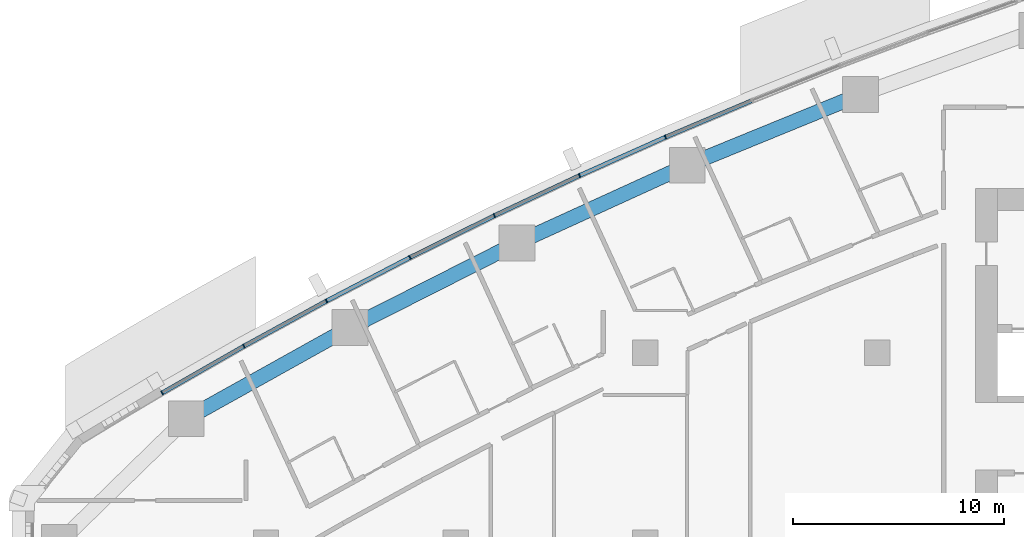
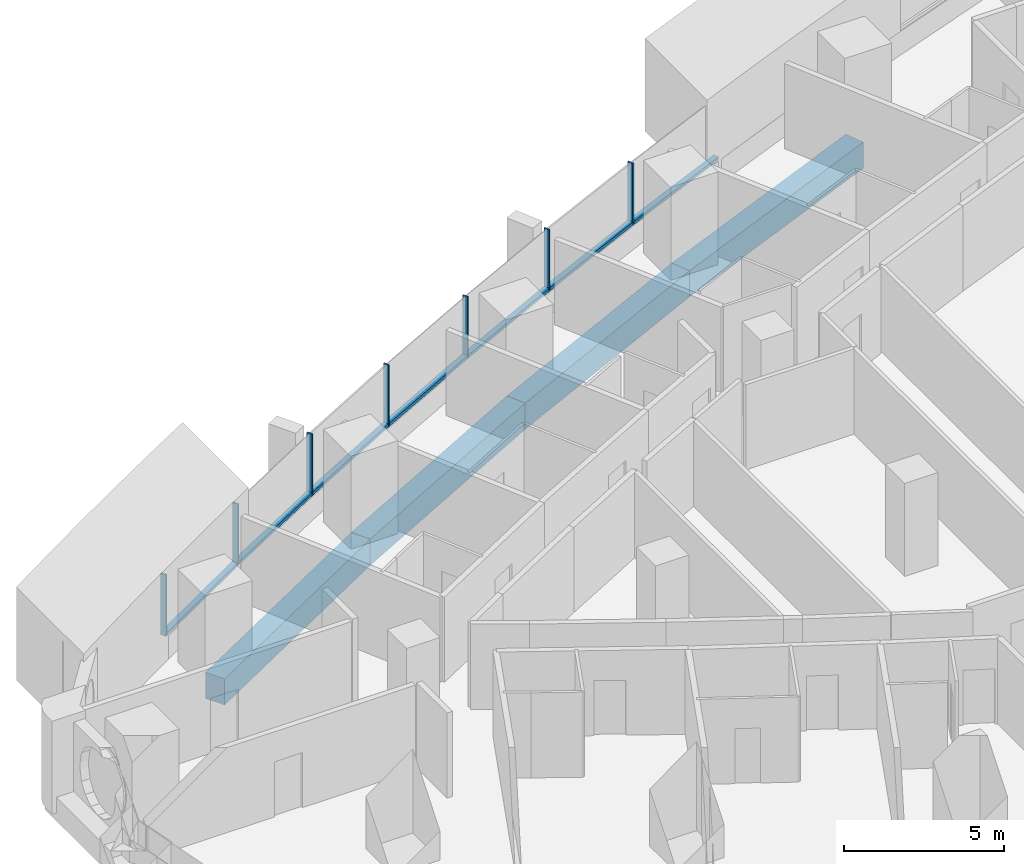
# One storey, part 5 of 17: 14 members, 4 beams, 4 elements without a shape of their own.
"""IFC4 building model written with IfcOpenShell, lengths in metres."""

import ifcopenshell
import ifcopenshell.guid

model = None  # the IFC model being written
_history = None  # IfcOwnerHistory: only IFC2X3 demands one
_inside = {}  # id of a spatial element -> (the spatial element, [elements in it])
_under = {}  # id of a project, library or spatial element -> (it, [spatial elements below it])
_declared = {}  # id of a project -> (the project, [libraries it declares])
_typed = {}  # id of a type object -> (the type object, [elements of that type])
_made_of = {}  # id of a material, layer set ... -> (it, [elements and type objects made of it])


def new_model(schema):
    """Start an empty IFC model of exactly this schema.

    Asked for "IFC4X3", IfcOpenShell would pick the latest addendum, in which some entities
    have other attributes; the version numbers below select the first issue.
    IFC2X3 requires an IfcOwnerHistory on every rooted entity: one is made here for all.
    """
    global model, _history
    if schema == "IFC4X3":
        model = ifcopenshell.file(schema_version=(4, 3, 0, 0))
    else:
        model = ifcopenshell.file(schema=schema)
    _inside.clear()
    _under.clear()
    _declared.clear()
    _typed.clear()
    _made_of.clear()
    _history = None
    if model.schema == "IFC2X3":
        org = make("IfcOrganization", Name="unknown")
        user = make(
            "IfcPersonAndOrganization",
            ThePerson=make("IfcPerson", FamilyName="unknown"),
            TheOrganization=org,
        )
        app = make(
            "IfcApplication",
            ApplicationDeveloper=org,
            Version="unknown",
            ApplicationFullName="unknown",
            ApplicationIdentifier="unknown",
        )
        _history = make(
            "IfcOwnerHistory",
            OwningUser=user,
            OwningApplication=app,
            ChangeAction="ADDED",
            CreationDate=0,
        )
    return model


def make(cls, **values):
    """One entity of the class cls with the attributes given. An attribute that is None is left unset."""
    return model.create_entity(
        cls, **{name: value for name, value in values.items() if value is not None}
    )


def rooted(cls, **values):
    """An entity with a GlobalId (a new one), such as an element, a storey or a relation."""
    return make(cls, GlobalId=ifcopenshell.guid.new(), OwnerHistory=_history, **values)


def si_unit(unit_type, name, prefix=None):
    """IfcSIUnit, for example si_unit("LENGTHUNIT", "METRE", prefix="MILLI")."""
    return make("IfcSIUnit", UnitType=unit_type, Prefix=prefix, Name=name)


def assignment(units):
    """IfcUnitAssignment: the units of a project."""
    return None if units is None else make("IfcUnitAssignment", Units=units)


def point(xyz):
    """IfcCartesianPoint."""
    return None if xyz is None else make("IfcCartesianPoint", Coordinates=xyz)


def direction(xyz):
    """IfcDirection."""
    return None if xyz is None else make("IfcDirection", DirectionRatios=xyz)


def frame(location, z_axis=None, x_axis=None):
    """IfcAxis2Placement3D, a coordinate frame: its origin and axes. An axis left out is left unset."""
    return make(
        "IfcAxis2Placement3D",
        Location=point(location),
        Axis=direction(z_axis),
        RefDirection=direction(x_axis),
    )


def frame_2d(location, x_axis=None):
    """IfcAxis2Placement2D, a coordinate frame in the plane: its origin and x axis."""
    return make(
        "IfcAxis2Placement2D", Location=point(location), RefDirection=direction(x_axis)
    )


def origin():
    """The frame at (0, 0, 0) with its axes left unset."""
    return frame((0.0, 0.0, 0.0))


def origin_2d():
    """The frame at (0, 0) in the plane with its x axis left unset."""
    return frame_2d((0.0, 0.0))


def place(relative_to, where):
    """IfcLocalPlacement: puts the frame where relative to a parent placement (None: the world)."""
    return make(
        "IfcLocalPlacement", PlacementRelTo=relative_to, RelativePlacement=where
    )


def context(
    kind, dimensions, precision=None, world=None, true_north=None, identifier=None
):
    """IfcGeometricRepresentationContext, for example the 3D "Model" context."""
    return make(
        "IfcGeometricRepresentationContext",
        ContextIdentifier=identifier,
        ContextType=kind,
        CoordinateSpaceDimension=dimensions,
        Precision=precision,
        WorldCoordinateSystem=world,
        TrueNorth=true_north,
    )


def subcontext(parent, identifier, kind, view, scale=None):
    """IfcGeometricRepresentationSubContext, for example "Body" below "Model"."""
    return make(
        "IfcGeometricRepresentationSubContext",
        ContextIdentifier=identifier,
        ContextType=kind,
        ParentContext=parent,
        TargetScale=scale,
        TargetView=view,
    )


def project(units=None, contexts=None):
    """IfcProject with its units and contexts."""
    return rooted(
        "IfcProject",
        Name="project",
        RepresentationContexts=contexts,
        UnitsInContext=assignment(units),
    )


def spatial(cls, under=None, at=None, **own):
    """A site, building, storey or space (cls), placed at a placement, below another one or the project."""
    s = rooted(cls, ObjectPlacement=at, **own)
    if under is not None:
        _under.setdefault(under.id(), (under, []))[1].append(s)
    return s


def profile(cls, at=None, kind="AREA", **sizes):
    """A parametric profile (cls). Its sizes go by their IFC names, for example OverallWidth=200.0."""
    return make(cls, ProfileType=kind, Position=at, **sizes)


def rectangle(**sizes):
    """IfcRectangleProfileDef."""
    return profile("IfcRectangleProfileDef", **sizes)


def extrude(swept, where, along, depth):
    """IfcExtrudedAreaSolid: the profile swept, set in the frame where, extruded along a direction by depth."""
    return make(
        "IfcExtrudedAreaSolid",
        SweptArea=swept,
        Position=where,
        ExtrudedDirection=direction(along),
        Depth=depth,
    )


def shape(context_of_items, identifier, shape_type, items):
    """IfcShapeRepresentation: the items that make up one representation, for example the "Body"."""
    return make(
        "IfcShapeRepresentation",
        ContextOfItems=context_of_items,
        RepresentationIdentifier=identifier,
        RepresentationType=shape_type,
        Items=items,
    )


def material(Name=None, Category=None):
    """IfcMaterial."""
    return make("IfcMaterial", Name=Name, Category=Category)


def layer(
    of_material, thickness, ventilated=None, Name=None, Category=None, Priority=None
):
    """IfcMaterialLayer: one layer of a wall or slab, of a material (None: an air gap)."""
    return make(
        "IfcMaterialLayer",
        Material=of_material,
        LayerThickness=thickness,
        IsVentilated=ventilated,
        Name=Name,
        Category=Category,
        Priority=Priority,
    )


def layer_set(layers, Name=None):
    """IfcMaterialLayerSet."""
    return make("IfcMaterialLayerSet", MaterialLayers=layers, LayerSetName=Name)


def material_profile(
    of_material, cross_section, Name=None, Category=None, Priority=None
):
    """IfcMaterialProfile: a cross section and its material."""
    return make(
        "IfcMaterialProfile",
        Name=Name,
        Material=of_material,
        Profile=cross_section,
        Priority=Priority,
        Category=Category,
    )


def profile_set(profiles, Name=None, composite=None):
    """IfcMaterialProfileSet."""
    return make(
        "IfcMaterialProfileSet",
        Name=Name,
        MaterialProfiles=profiles,
        CompositeProfile=composite,
    )


def made_of(thing, what):
    """Note that an element or type object is made of a material, layer set ...; save() writes the relation."""
    if what is not None:
        _made_of.setdefault(what.id(), (what, []))[1].append(thing)
    return thing


def type_object(cls, material=None, **own):
    """A type object (cls), such as IfcWallType, which elements share."""
    return made_of(rooted(cls, **own), material)


def element(
    cls,
    number,
    at=None,
    inside=None,
    cuts=None,
    type_object=None,
    material=None,
    context=None,
    identifier="Body",
    shape_type=None,
    held_by="IfcProductDefinitionShape",
    body=None,
    shapes=None,
    **own,
):
    """One element of the class cls, such as IfcWall. Its Tag is "e" and its number.

    at: its placement. inside: the storey or other place that contains it. cuts: it is an
    opening in that element (IfcRelVoidsElement). A single representation is given by context,
    identifier, shape_type and body (its items); several are given by shapes. held_by: the class
    of the entity that holds the representations. save() writes the other relations.
    """
    e = rooted(cls, Tag="e%d" % number, ObjectPlacement=at, **own)
    if body is not None:
        shapes = [shape(context, identifier, shape_type, body)]
    if shapes is not None:
        e.Representation = make(held_by, Representations=shapes)
    if inside is not None:
        _inside.setdefault(inside.id(), (inside, []))[1].append(e)
    if cuts is not None:
        rooted(
            "IfcRelVoidsElement", RelatingBuildingElement=cuts, RelatedOpeningElement=e
        )
    if type_object is not None:
        _typed.setdefault(type_object.id(), (type_object, []))[1].append(e)
    return made_of(e, material)


def aggregate(whole, parts):
    """IfcRelAggregates: a whole, such as a stair, and the parts it consists of."""
    return rooted("IfcRelAggregates", RelatingObject=whole, RelatedObjects=parts)


def save(model, path):
    """Write the relations noted so far, then the file.

    IfcRelAggregates (storeys below a building ...), IfcRelContainedInSpatialStructure (elements
    in a storey), IfcRelDefinesByType, IfcRelAssociatesMaterial and IfcRelDeclares: one each for
    every whole, place, type object, material and project.
    """
    for whole, parts in _under.values():
        aggregate(whole, parts)
    for where, things in _inside.values():
        rooted(
            "IfcRelContainedInSpatialStructure",
            RelatedElements=things,
            RelatingStructure=where,
        )
    for kind, things in _typed.values():
        rooted("IfcRelDefinesByType", RelatedObjects=things, RelatingType=kind)
    for what, things in _made_of.values():
        rooted("IfcRelAssociatesMaterial", RelatedObjects=things, RelatingMaterial=what)
    for by, libraries in _declared.values():
        rooted("IfcRelDeclares", RelatingContext=by, RelatedDefinitions=libraries)
    model.write(path)


model = new_model("IFC4")

# Units and contexts
model_context = context("Model", 3, precision=1e-05, world=origin(), true_north=direction((0.0, 1.0)))
body_context = subcontext(model_context, "Body", "Model", "MODEL_VIEW")
ifc_project = project(units=[si_unit("LENGTHUNIT", "METRE"), si_unit("AREAUNIT", "SQUARE_METRE"), si_unit("VOLUMEUNIT", "CUBIC_METRE"), si_unit("PLANEANGLEUNIT", "RADIAN"), si_unit("MASSUNIT", "GRAM", prefix="KILO")], contexts=[model_context])

# Site, building, storey
site_placement = place(None, origin())
site = spatial("IfcSite", under=ifc_project, at=site_placement, CompositionType="ELEMENT")
building_placement = place(site_placement, origin())
building = spatial("IfcBuilding", under=site, at=building_placement, Name="Ostrand Prow Hotel Tower", CompositionType="ELEMENT")
storey_placement = place(building_placement, frame((0.0, 0.0, 102.64990234375)))
storey = spatial("IfcBuildingStorey", under=building, at=storey_placement, Name="L24", CompositionType="ELEMENT", Elevation=102.64990234375)

# Beams
ifc_material_1 = material(Name="Concrete C80/95", Category="concrete")
ifc_material_profile_1 = material_profile(ifc_material_1, rectangle(XDim=0.699951171875, YDim=1.0, at=origin_2d()), Name="RC 700x1000")
ifc_profile_set_1 = profile_set([ifc_material_profile_1], Name="Concrete C80/95")
beam_type = type_object("IfcBeamType", Name="Edge beam 700x1000 C80/95", PredefinedType="SPANDREL", material=ifc_profile_set_1)
beam_1_placement = place(storey_placement, frame((44.210693359375, 21.263671875, -0.7998046875), z_axis=(-0.925612172894, -0.378473387955, 0.0), x_axis=(0.378473387955, -0.925612172894, 0.0)))
element("IfcBeam", 1, at=beam_1_placement, inside=storey, type_object=beam_type, Name="Edge beam N2-N3", PredefinedType="SPANDREL", context=body_context, shape_type="SweptSolid", body=[
    extrude(rectangle(XDim=0.699951171875, YDim=1.0, at=origin_2d()), origin(), (0.0, 0.0, 1.0), 8.88330078125),
])
beam_2_placement = place(storey_placement, frame((35.98828125, 17.901611328125, -0.7998046875), z_axis=(-0.909681006953, -0.415307675813, 0.0), x_axis=(0.415307675813, -0.909681006953, 0.0)))
element("IfcBeam", 2, at=beam_2_placement, inside=storey, type_object=beam_type, Name="Edge beam N3-N4", PredefinedType="SPANDREL", context=body_context, shape_type="SweptSolid", body=[
    extrude(rectangle(XDim=0.699951171875, YDim=1.0, at=origin_2d()), origin(), (0.0, 0.0, 1.0), 8.883544921875),
])
beam_3_placement = place(storey_placement, frame((27.906982421875, 14.212158203125, -0.7998046875), z_axis=(-0.892284288592, -0.451473973039, 0.0), x_axis=(0.451473973039, -0.892284288592, 0.0)))
element("IfcBeam", 3, at=beam_3_placement, inside=storey, type_object=beam_type, Name="Edge beam N4-N5", PredefinedType="SPANDREL", context=body_context, shape_type="SweptSolid", body=[
    extrude(rectangle(XDim=0.699951171875, YDim=1.0, at=origin_2d()), origin(), (0.0, 0.0, 1.0), 8.883056640625),
])
beam_4_placement = place(storey_placement, frame((19.980712890625, 10.20166015625, -0.7998046875), z_axis=(-0.873452439955, -0.486909473245, 0.0), x_axis=(0.486909473245, -0.873452439955, 0.0)))
element("IfcBeam", 4, at=beam_4_placement, inside=storey, type_object=beam_type, Name="Edge beam N5-N6", PredefinedType="SPANDREL", context=body_context, shape_type="SweptSolid", body=[
    extrude(rectangle(XDim=0.699951171875, YDim=1.0, at=origin_2d()), origin(), (0.0, 0.0, 1.0), 8.883544921875),
])

# Curtain wall, member
ifc_material_2 = material(Name="Insulated glass in bronze anodised frame", Category="glass")
ifc_layer = layer(ifc_material_2, 0.199951171875)
ifc_layer_set = layer_set([ifc_layer], Name="Insulated glass in bronze anodised frame")
curtain_wall_type = type_object("IfcCurtainWallType", Name="Strip curtain wall, fritted glass over bronze spandrel", PredefinedType="NOTDEFINED", material=ifc_layer_set)
curtain_wall_1_placement = place(storey_placement, origin())
curtain_wall_1 = element("IfcCurtainWall", 5, at=curtain_wall_1_placement, inside=storey, type_object=curtain_wall_type, Name="CW1 run CWN2", PredefinedType="NOTDEFINED")
ifc_material_3 = material(Name="Bronze anodised aluminium", Category="aluminium")
ifc_material_profile_2 = material_profile(ifc_material_3, rectangle(XDim=0.199951171875, YDim=0.06005859375, at=origin_2d()), Name="Mullion 60x200 bronze anodised aluminium")
ifc_profile_set_2 = profile_set([ifc_material_profile_2], Name="Bronze anodised aluminium")
member_type_1 = type_object("IfcMemberType", Name="Mullion 60x200 bronze anodised aluminium", PredefinedType="MULLION", material=ifc_profile_set_2)
member_1_placement = place(storey_placement, frame((34.95068359375, 19.233154296875, 0.900146484375), z_axis=(0.0, 0.0, 1.0), x_axis=(0.389506566255, -0.921023688536, 0.0)))
member_1 = element("IfcMember", 6, at=member_1_placement, type_object=member_type_1, Name="CW1 mullion 3", PredefinedType="MULLION", context=body_context, shape_type="SweptSolid", body=[
    extrude(rectangle(XDim=0.199951171875, YDim=0.06005859375, at=origin_2d()), origin(), (0.0, 0.0, 1.0), 2.349853515625),
])

# Curtain wall, members
curtain_wall_2_placement = place(storey_placement, origin())
curtain_wall_2 = element("IfcCurtainWall", 7, at=curtain_wall_2_placement, inside=storey, type_object=curtain_wall_type, Name="CW1 run CWN3", PredefinedType="NOTDEFINED")
member_2_placement = place(storey_placement, frame((30.872802734375, 17.41162109375, 0.900146484375), z_axis=(0.0, 0.0, 1.0), x_axis=(0.426079320162, -0.904685808958, 0.0)))
member_2 = element("IfcMember", 8, at=member_2_placement, type_object=member_type_1, Name="CW1 mullion 2", PredefinedType="MULLION", context=body_context, shape_type="SweptSolid", body=[
    extrude(rectangle(XDim=0.199951171875, YDim=0.06005859375, at=origin_2d()), origin(), (0.0, 0.0, 1.0), 2.349853515625),
])
member_3_placement = place(storey_placement, frame((26.83251953125, 15.508544921875, 0.900146484375), z_axis=(0.0, 0.0, 1.0), x_axis=(0.426079320162, -0.904685808958, 0.0)))
member_3 = element("IfcMember", 9, at=member_3_placement, type_object=member_type_1, Name="CW1 mullion 3", PredefinedType="MULLION", context=body_context, shape_type="SweptSolid", body=[
    extrude(rectangle(XDim=0.199951171875, YDim=0.06005859375, at=origin_2d()), origin(), (0.0, 0.0, 1.0), 2.349853515625),
])

curtain_wall_3_placement = place(storey_placement, origin())
curtain_wall_3 = element("IfcCurtainWall", 10, at=curtain_wall_3_placement, inside=storey, type_object=curtain_wall_type, Name="CW1 run CWN4", PredefinedType="NOTDEFINED")
member_4_placement = place(storey_placement, frame((22.831298828125, 13.525146484375, 0.900146484375), z_axis=(0.0, 0.0, 1.0), x_axis=(0.461968432937, -0.886896367661, 0.0)))
member_4 = element("IfcMember", 11, at=member_4_placement, type_object=member_type_1, Name="CW1 mullion 2", PredefinedType="MULLION", context=body_context, shape_type="SweptSolid", body=[
    extrude(rectangle(XDim=0.199951171875, YDim=0.06005859375, at=origin_2d()), origin(), (0.0, 0.0, 1.0), 2.349853515625),
])
member_5_placement = place(storey_placement, frame((18.870361328125, 11.4619140625, 0.900146484375), z_axis=(0.0, 0.0, 1.0), x_axis=(0.461968432937, -0.886896367661, 0.0)))
member_5 = element("IfcMember", 12, at=member_5_placement, type_object=member_type_1, Name="CW1 mullion 3", PredefinedType="MULLION", context=body_context, shape_type="SweptSolid", body=[
    extrude(rectangle(XDim=0.199951171875, YDim=0.06005859375, at=origin_2d()), origin(), (0.0, 0.0, 1.0), 2.349853515625),
])

curtain_wall_4_placement = place(storey_placement, origin())
curtain_wall_4 = element("IfcCurtainWall", 13, at=curtain_wall_4_placement, inside=storey, type_object=curtain_wall_type, Name="CW1 run CWN5", PredefinedType="NOTDEFINED")
member_6_placement = place(storey_placement, frame((14.951416015625, 9.320068359375, 0.900146484375), z_axis=(0.0, 0.0, 1.0), x_axis=(0.497114806368, -0.867684775301, 0.0)))
member_6 = element("IfcMember", 14, at=member_6_placement, type_object=member_type_1, Name="CW1 mullion 2", PredefinedType="MULLION", context=body_context, shape_type="SweptSolid", body=[
    extrude(rectangle(XDim=0.199951171875, YDim=0.06005859375, at=origin_2d()), origin(), (0.0, 0.0, 1.0), 2.349853515625),
])
member_7_placement = place(storey_placement, frame((11.076416015625, 7.099853515625, 0.900146484375), z_axis=(0.0, 0.0, 1.0), x_axis=(0.497114806368, -0.867684775301, 0.0)))
member_7 = element("IfcMember", 15, at=member_7_placement, type_object=member_type_1, Name="CW1 mullion 3", PredefinedType="MULLION", context=body_context, shape_type="SweptSolid", body=[
    extrude(rectangle(XDim=0.199951171875, YDim=0.06005859375, at=origin_2d()), origin(), (0.0, 0.0, 1.0), 2.349853515625),
])

# Member
ifc_material_4 = material(Name="Bronze anodised aluminium", Category="aluminium")
ifc_material_profile_3 = material_profile(ifc_material_4, rectangle(XDim=0.199951171875, YDim=0.1201171875, at=origin_2d()), Name="Transom 120x200 bronze anodised aluminium")
ifc_profile_set_3 = profile_set([ifc_material_profile_3], Name="Bronze anodised aluminium")
member_type_2 = type_object("IfcMemberType", Name="Transom 120x200 bronze anodised aluminium", PredefinedType="USERDEFINED", material=ifc_profile_set_3)
member_8_placement = place(storey_placement, frame((39.0361328125, 20.9609375, 0.960205078125), z_axis=(-0.921006250528, -0.389547797438, 0.0), x_axis=(0.389547797438, -0.921006250528, 0.0)))
member_8 = element("IfcMember", 16, at=member_8_placement, type_object=member_type_2, Name="CW1 transom 2.1", ObjectType="TRANSOM", PredefinedType="USERDEFINED", context=body_context, shape_type="SweptSolid", body=[
    extrude(rectangle(XDim=0.199951171875, YDim=0.1201171875, at=origin_2d()), origin(), (0.0, 0.0, 1.0), 4.406005859375),
])

aggregate(curtain_wall_1, [member_1, member_8])

member_9_placement = place(storey_placement, frame((34.923095703125, 19.220703125, 0.960205078125), z_axis=(-0.913030665163, -0.407890922271, 0.0), x_axis=(0.407890922271, -0.913030665163, 0.0)))
member_9 = element("IfcMember", 17, at=member_9_placement, type_object=member_type_2, Name="CW1 transom 1.1", ObjectType="TRANSOM", PredefinedType="USERDEFINED", context=body_context, shape_type="SweptSolid", body=[
    extrude(rectangle(XDim=0.199951171875, YDim=0.1201171875, at=origin_2d()), origin(), (0.0, 0.0, 1.0), 4.40576171875),
])

member_10_placement = place(storey_placement, frame((30.845703125, 17.398681640625, 0.960205078125), z_axis=(-0.904696854963, -0.42605586561, 0.0), x_axis=(0.42605586561, -0.904696854963, 0.0)))
member_10 = element("IfcMember", 18, at=member_10_placement, type_object=member_type_2, Name="CW1 transom 2.1", ObjectType="TRANSOM", PredefinedType="USERDEFINED", context=body_context, shape_type="SweptSolid", body=[
    extrude(rectangle(XDim=0.199951171875, YDim=0.1201171875, at=origin_2d()), origin(), (0.0, 0.0, 1.0), 4.406005859375),
])

aggregate(curtain_wall_2, [member_2, member_3, member_9, member_10])

member_11_placement = place(storey_placement, frame((26.8056640625, 15.495361328125, 0.960205078125), z_axis=(-0.895962348168, -0.444130015497, 0.0), x_axis=(0.444130015497, -0.895962348168, 0.0)))
member_11 = element("IfcMember", 19, at=member_11_placement, type_object=member_type_2, Name="CW1 transom 1.1", ObjectType="TRANSOM", PredefinedType="USERDEFINED", context=body_context, shape_type="SweptSolid", body=[
    extrude(rectangle(XDim=0.199951171875, YDim=0.1201171875, at=origin_2d()), origin(), (0.0, 0.0, 1.0), 4.406005859375),
])

member_12_placement = place(storey_placement, frame((22.8046875, 13.51123046875, 0.960205078125), z_axis=(-0.886901787206, -0.461958028235, 0.0), x_axis=(0.461958028235, -0.886901787206, 0.0)))
member_12 = element("IfcMember", 20, at=member_12_placement, type_object=member_type_2, Name="CW1 transom 2.1", ObjectType="TRANSOM", PredefinedType="USERDEFINED", context=body_context, shape_type="SweptSolid", body=[
    extrude(rectangle(XDim=0.199951171875, YDim=0.1201171875, at=origin_2d()), origin(), (0.0, 0.0, 1.0), 4.406005859375),
])

aggregate(curtain_wall_3, [member_4, member_5, member_11, member_12])

member_13_placement = place(storey_placement, frame((18.843994140625, 11.44775390625, 0.960205078125), z_axis=(-0.877471714137, -0.479628388328, 0.0), x_axis=(0.479628388328, -0.877471714137, 0.0)))
member_13 = element("IfcMember", 21, at=member_13_placement, type_object=member_type_2, Name="CW1 transom 1.1", ObjectType="TRANSOM", PredefinedType="USERDEFINED", context=body_context, shape_type="SweptSolid", body=[
    extrude(rectangle(XDim=0.199951171875, YDim=0.1201171875, at=origin_2d()), origin(), (0.0, 0.0, 1.0), 4.406005859375),
])

member_14_placement = place(storey_placement, frame((14.925537109375, 9.30517578125, 0.960205078125), z_axis=(-0.86766970623, -0.497141107625, 0.0), x_axis=(0.497141107625, -0.86766970623, 0.0)))
member_14 = element("IfcMember", 22, at=member_14_placement, type_object=member_type_2, Name="CW1 transom 2.1", ObjectType="TRANSOM", PredefinedType="USERDEFINED", context=body_context, shape_type="SweptSolid", body=[
    extrude(rectangle(XDim=0.199951171875, YDim=0.1201171875, at=origin_2d()), origin(), (0.0, 0.0, 1.0), 4.406005859375),
])

aggregate(curtain_wall_4, [member_6, member_7, member_13, member_14])

save(model, "model.ifc")
